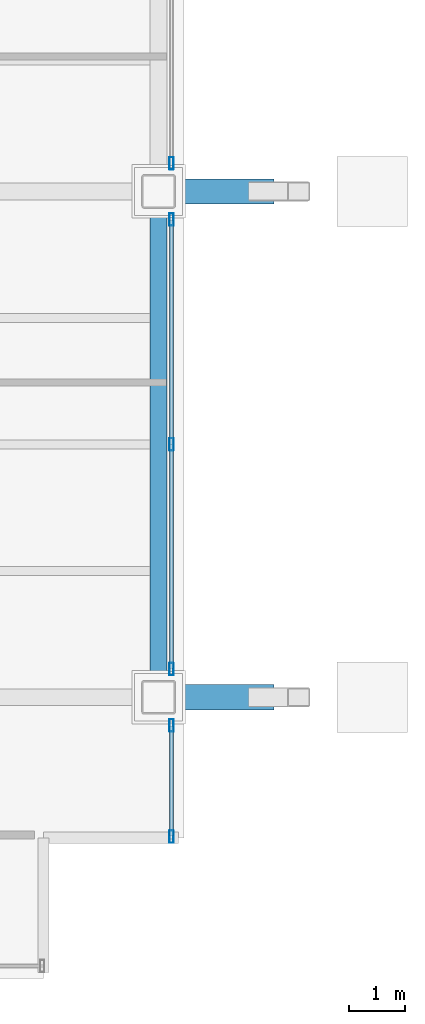
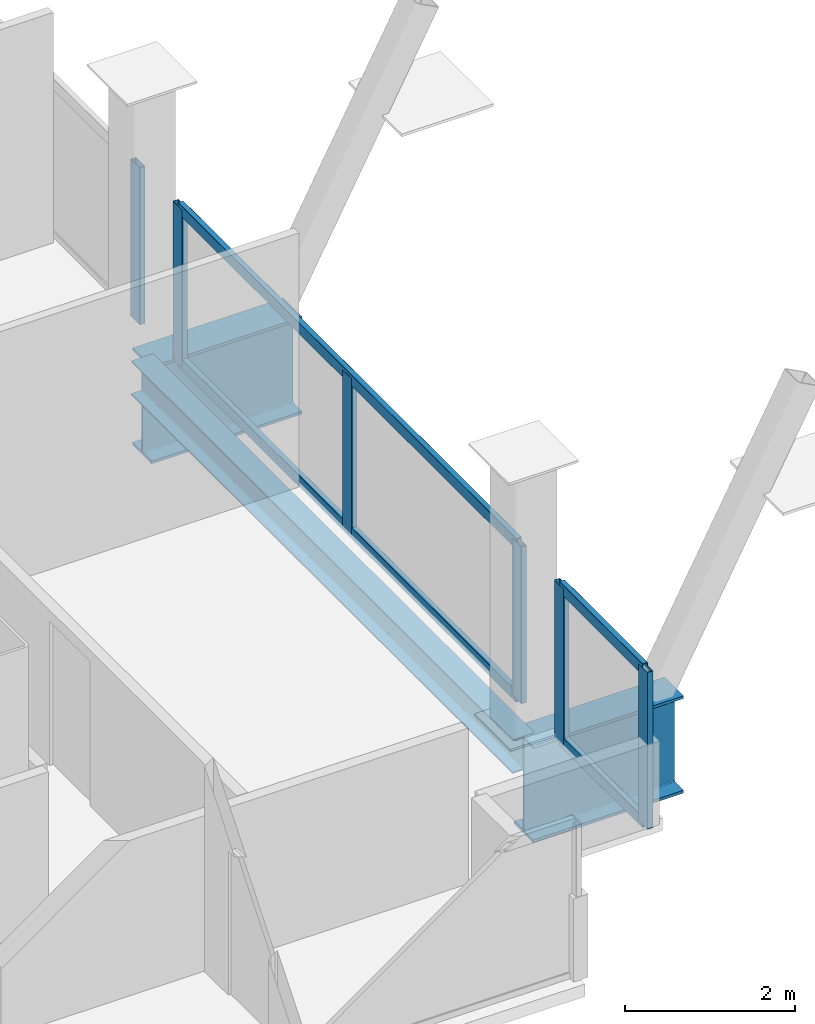
# One storey, part 11 of 21: 10 members, 3 beams, 3 elements without a shape of their own.
"""IFC4 building model written with IfcOpenShell, lengths in metres."""

from ifc_helpers import new_model, si_unit, direction, frame, origin, origin_2d, place, context, subcontext, project, spatial, hollow_rectangle, i_section, extrude, material, material_profile, profile_set, type_object, element, aggregate, save


model = new_model("IFC4")

# Units and contexts
model_context = context("Model", 3, precision=1e-05, world=origin(), true_north=direction((0.0, 1.0)))
body_context = subcontext(model_context, "Body", "Model", "MODEL_VIEW")
ifc_project = project(units=[si_unit("LENGTHUNIT", "METRE"), si_unit("AREAUNIT", "SQUARE_METRE"), si_unit("VOLUMEUNIT", "CUBIC_METRE"), si_unit("PLANEANGLEUNIT", "RADIAN"), si_unit("MASSUNIT", "GRAM", prefix="KILO")], contexts=[model_context])

# Site, building, storey
site_placement = place(None, origin())
site = spatial("IfcSite", under=ifc_project, at=site_placement, CompositionType="ELEMENT")
building_placement = place(site_placement, origin())
building = spatial("IfcBuilding", under=site, at=building_placement, Name="Noeulbin Bourse Tower", CompositionType="ELEMENT")
storey_placement = place(building_placement, frame((0.0, 0.0, 49.89990234375)))
storey = spatial("IfcBuildingStorey", under=building, at=storey_placement, Name="L12", CompositionType="ELEMENT", Elevation=49.89990234375)

# Beams
ifc_material_1 = material(Name="Steel S355", Category="steel")
ifc_material_profile_1 = material_profile(ifc_material_1, i_section(OverallWidth=0.300048828125, OverallDepth=0.488037109375, WebThickness=0.010986328125, FlangeThickness=0.01806640625, FilletRadius=0.02197265625, at=origin_2d()), Name="H-488x300x11x18", Category="LoadBearing")
ifc_profile_set_1 = profile_set([ifc_material_profile_1], Name="Steel S355")
beam_type_1 = type_object("IfcBeamType", Name="BM-SPN-488", PredefinedType="SPANDREL", material=ifc_profile_set_1)
beam_placement = place(storey_placement, frame((51.550048828125, 20.0, -0.423828125), z_axis=(0.0, 1.0, 0.0), x_axis=(-1.0, 0.0, 0.0)))
element("IfcBeam", 1, at=beam_placement, inside=storey, type_object=beam_type_1, Name="East Spandrel L12-1", PredefinedType="SPANDREL", context=body_context, shape_type="SweptSolid", body=[
    extrude(i_section(OverallWidth=0.300048828125, OverallDepth=0.488037109375, WebThickness=0.010986328125, FlangeThickness=0.01806640625, FilletRadius=0.02197265625, at=origin_2d()), origin(), (0.0, 0.0, 1.0), 9.0),
])
ifc_material_2 = material(Name="Steel S460", Category="steel")
ifc_material_profile_2 = material_profile(ifc_material_2, i_section(OverallWidth=0.449951171875, OverallDepth=1.39990234375, WebThickness=0.02392578125, FlangeThickness=0.0400390625, FilletRadius=0.02392578125, at=origin_2d()), Name="PG-1400x450x24x40", Category="LoadBearing")
ifc_profile_set_2 = profile_set([ifc_material_profile_2], Name="Steel S460")
beam_type_2 = type_object("IfcBeamType", Name="BM-TRF-1400", PredefinedType="USERDEFINED", material=ifc_profile_set_2)
for number, where, z_axis, x_axis, name in (
    (2, (51.550048828125, 20.0, -0.8798828125), (1.0, 0.0, 0.0), (0.0, 1.0, 0.0), "Transfer Outrigger Corbel L12-01"),
    (3, (51.550048828125, 29.0, -0.8798828125), (1.0, 0.0, 0.0), (0.0, 1.0, 0.0), "Transfer Outrigger Corbel L12-02"),
):
    element("IfcBeam", number, at=place(storey_placement, frame(where, z_axis=z_axis, x_axis=x_axis)), inside=storey, type_object=beam_type_2, Name=name, ObjectType="GIRDER", PredefinedType="USERDEFINED", context=body_context, shape_type="SweptSolid", body=[
        extrude(i_section(OverallWidth=0.449951171875, OverallDepth=1.39990234375, WebThickness=0.02392578125, FlangeThickness=0.0400390625, FilletRadius=0.02392578125, at=origin_2d()), origin(), (0.0, 0.0, 1.0), 2.050048828125),
    ])

# Curtain wall, members
ifc_material_3 = material(Name="Dark Solar-Control Double Glazing", Category="glass")
curtain_wall_type = type_object("IfcCurtainWallType", Name="CW-SYS-2", PredefinedType="NOTDEFINED", material=ifc_material_3)
curtain_wall_1_placement = place(storey_placement, origin())
curtain_wall_1 = element("IfcCurtainWall", 4, at=curtain_wall_1_placement, inside=storey, type_object=curtain_wall_type, Name="Unitised Curtain Wall CW-L12-E-S1", PredefinedType="NOTDEFINED")
ifc_material_4 = material(Name="Anodised Aluminium 6063-T6", Category="aluminium")
ifc_material_profile_3 = material_profile(ifc_material_4, hollow_rectangle(XDim=0.074951171875, YDim=0.219970703125, WallThickness=0.0048828125, InnerFilletRadius=0.00244140625, OuterFilletRadius=0.0048828125, at=origin_2d()), Name="ALU-MULL-75x220x5", Category="LoadBearing")
ifc_profile_set_3 = profile_set([ifc_material_profile_3], Name="Anodised Aluminium 6063-T6")
member_type_1 = type_object("IfcMemberType", Name="CW-SYS-2-MUL", PredefinedType="MULLION", material=ifc_profile_set_3)
member_1_placement = place(storey_placement, frame((51.780029296875, 17.52001953125, -0.02001953125), z_axis=(0.0, 0.0, 1.0), x_axis=(1.0, 0.0, 0.0)))
member_1 = element("IfcMember", 5, at=member_1_placement, type_object=member_type_1, Name="Curtain Wall Mullion CW-L12-E-S1-M00", PredefinedType="MULLION", context=body_context, shape_type="SweptSolid", body=[
    extrude(hollow_rectangle(XDim=0.074951171875, YDim=0.219970703125, WallThickness=0.0048828125, InnerFilletRadius=0.00244140625, OuterFilletRadius=0.0048828125, at=origin_2d()), origin(), (0.0, 0.0, 1.0), 2.260009765625),
])
member_2_placement = place(storey_placement, frame((51.780029296875, 19.5, -0.02001953125), z_axis=(0.0, 0.0, 1.0), x_axis=(1.0, 0.0, 0.0)))
member_2 = element("IfcMember", 6, at=member_2_placement, type_object=member_type_1, Name="Curtain Wall Mullion CW-L12-E-S1-M01", PredefinedType="MULLION", context=body_context, shape_type="SweptSolid", body=[
    extrude(hollow_rectangle(XDim=0.074951171875, YDim=0.219970703125, WallThickness=0.0048828125, InnerFilletRadius=0.00244140625, OuterFilletRadius=0.0048828125, at=origin_2d()), origin(), (0.0, 0.0, 1.0), 2.260009765625),
])

curtain_wall_2_placement = place(storey_placement, origin())
curtain_wall_2 = element("IfcCurtainWall", 7, at=curtain_wall_2_placement, inside=storey, type_object=curtain_wall_type, Name="Unitised Curtain Wall CW-L12-E-S2", PredefinedType="NOTDEFINED")
member_3_placement = place(storey_placement, frame((51.780029296875, 20.5, -0.02001953125), z_axis=(0.0, 0.0, 1.0), x_axis=(1.0, 0.0, 0.0)))
member_3 = element("IfcMember", 8, at=member_3_placement, type_object=member_type_1, Name="Curtain Wall Mullion CW-L12-E-S2-M00", PredefinedType="MULLION", context=body_context, shape_type="SweptSolid", body=[
    extrude(hollow_rectangle(XDim=0.074951171875, YDim=0.219970703125, WallThickness=0.0048828125, InnerFilletRadius=0.00244140625, OuterFilletRadius=0.0048828125, at=origin_2d()), origin(), (0.0, 0.0, 1.0), 2.260009765625),
])
member_4_placement = place(storey_placement, frame((51.780029296875, 24.5, -0.02001953125), z_axis=(0.0, 0.0, 1.0), x_axis=(1.0, 0.0, 0.0)))
member_4 = element("IfcMember", 9, at=member_4_placement, type_object=member_type_1, Name="Curtain Wall Mullion CW-L12-E-S2-M01", PredefinedType="MULLION", context=body_context, shape_type="SweptSolid", body=[
    extrude(hollow_rectangle(XDim=0.074951171875, YDim=0.219970703125, WallThickness=0.0048828125, InnerFilletRadius=0.00244140625, OuterFilletRadius=0.0048828125, at=origin_2d()), origin(), (0.0, 0.0, 1.0), 2.260009765625),
])
member_5_placement = place(storey_placement, frame((51.780029296875, 28.5, -0.02001953125), z_axis=(0.0, 0.0, 1.0), x_axis=(1.0, 0.0, 0.0)))
member_5 = element("IfcMember", 10, at=member_5_placement, type_object=member_type_1, Name="Curtain Wall Mullion CW-L12-E-S2-M02", PredefinedType="MULLION", context=body_context, shape_type="SweptSolid", body=[
    extrude(hollow_rectangle(XDim=0.074951171875, YDim=0.219970703125, WallThickness=0.0048828125, InnerFilletRadius=0.00244140625, OuterFilletRadius=0.0048828125, at=origin_2d()), origin(), (0.0, 0.0, 1.0), 2.260009765625),
])

# Curtain wall, member
curtain_wall_3_placement = place(storey_placement, origin())
curtain_wall_3 = element("IfcCurtainWall", 11, at=curtain_wall_3_placement, inside=storey, type_object=curtain_wall_type, Name="Unitised Curtain Wall CW-L12-E-S3", PredefinedType="NOTDEFINED")
member_6_placement = place(storey_placement, frame((51.780029296875, 29.5, -0.02001953125), z_axis=(0.0, 0.0, 1.0), x_axis=(1.0, 0.0, 0.0)))
member_6 = element("IfcMember", 12, at=member_6_placement, type_object=member_type_1, Name="Curtain Wall Mullion CW-L12-E-S3-M00", PredefinedType="MULLION", context=body_context, shape_type="SweptSolid", body=[
    extrude(hollow_rectangle(XDim=0.074951171875, YDim=0.219970703125, WallThickness=0.0048828125, InnerFilletRadius=0.00244140625, OuterFilletRadius=0.0048828125, at=origin_2d()), origin(), (0.0, 0.0, 1.0), 2.260009765625),
])
aggregate(curtain_wall_3, [member_6])

# Member
ifc_material_profile_4 = material_profile(ifc_material_4, hollow_rectangle(XDim=0.074951171875, YDim=0.159912109375, WallThickness=0.0048828125, InnerFilletRadius=0.00244140625, OuterFilletRadius=0.0048828125, at=origin_2d()), Name="ALU-TRAN-75x160x5", Category="LoadBearing")
ifc_profile_set_4 = profile_set([ifc_material_profile_4], Name="Anodised Aluminium 6063-T6")
member_type_2 = type_object("IfcMemberType", Name="CW-SYS-2-TRN", PredefinedType="USERDEFINED", material=ifc_profile_set_4)
member_7_placement = place(storey_placement, frame((51.780029296875, 17.530029296875, 0.010009765625), z_axis=(0.0, 1.0, 0.0), x_axis=(-1.0, 0.0, 0.0)))
member_7 = element("IfcMember", 13, at=member_7_placement, type_object=member_type_2, Name="Curtain Wall Transom CW-L12-E-S1-T00", ObjectType="TRANSOM", PredefinedType="USERDEFINED", context=body_context, shape_type="SweptSolid", body=[
    extrude(hollow_rectangle(XDim=0.074951171875, YDim=0.159912109375, WallThickness=0.0048828125, InnerFilletRadius=0.00244140625, OuterFilletRadius=0.0048828125, at=origin_2d()), origin(), (0.0, 0.0, 1.0), 1.9599609375),
])

member_8_placement = place(storey_placement, frame((51.780029296875, 17.530029296875, 2.210205078125), z_axis=(0.0, 1.0, 0.0), x_axis=(-1.0, 0.0, 0.0)))
member_8 = element("IfcMember", 14, at=member_8_placement, type_object=member_type_2, Name="Curtain Wall Transom CW-L12-E-S1-T01", ObjectType="TRANSOM", PredefinedType="USERDEFINED", context=body_context, shape_type="SweptSolid", body=[
    extrude(hollow_rectangle(XDim=0.074951171875, YDim=0.159912109375, WallThickness=0.0048828125, InnerFilletRadius=0.00244140625, OuterFilletRadius=0.0048828125, at=origin_2d()), origin(), (0.0, 0.0, 1.0), 1.9599609375),
])

aggregate(curtain_wall_1, [member_1, member_2, member_7, member_8])

member_9_placement = place(storey_placement, frame((51.780029296875, 20.510009765625, 0.010009765625), z_axis=(0.0, 1.0, 0.0), x_axis=(-1.0, 0.0, 0.0)))
member_9 = element("IfcMember", 15, at=member_9_placement, type_object=member_type_2, Name="Curtain Wall Transom CW-L12-E-S2-T00", ObjectType="TRANSOM", PredefinedType="USERDEFINED", context=body_context, shape_type="SweptSolid", body=[
    extrude(hollow_rectangle(XDim=0.074951171875, YDim=0.159912109375, WallThickness=0.0048828125, InnerFilletRadius=0.00244140625, OuterFilletRadius=0.0048828125, at=origin_2d()), origin(), (0.0, 0.0, 1.0), 7.97998046875),
])

member_10_placement = place(storey_placement, frame((51.780029296875, 20.510009765625, 2.210205078125), z_axis=(0.0, 1.0, 0.0), x_axis=(-1.0, 0.0, 0.0)))
member_10 = element("IfcMember", 16, at=member_10_placement, type_object=member_type_2, Name="Curtain Wall Transom CW-L12-E-S2-T01", ObjectType="TRANSOM", PredefinedType="USERDEFINED", context=body_context, shape_type="SweptSolid", body=[
    extrude(hollow_rectangle(XDim=0.074951171875, YDim=0.159912109375, WallThickness=0.0048828125, InnerFilletRadius=0.00244140625, OuterFilletRadius=0.0048828125, at=origin_2d()), origin(), (0.0, 0.0, 1.0), 7.97998046875),
])

aggregate(curtain_wall_2, [member_3, member_4, member_5, member_9, member_10])

save(model, "model.ifc")
